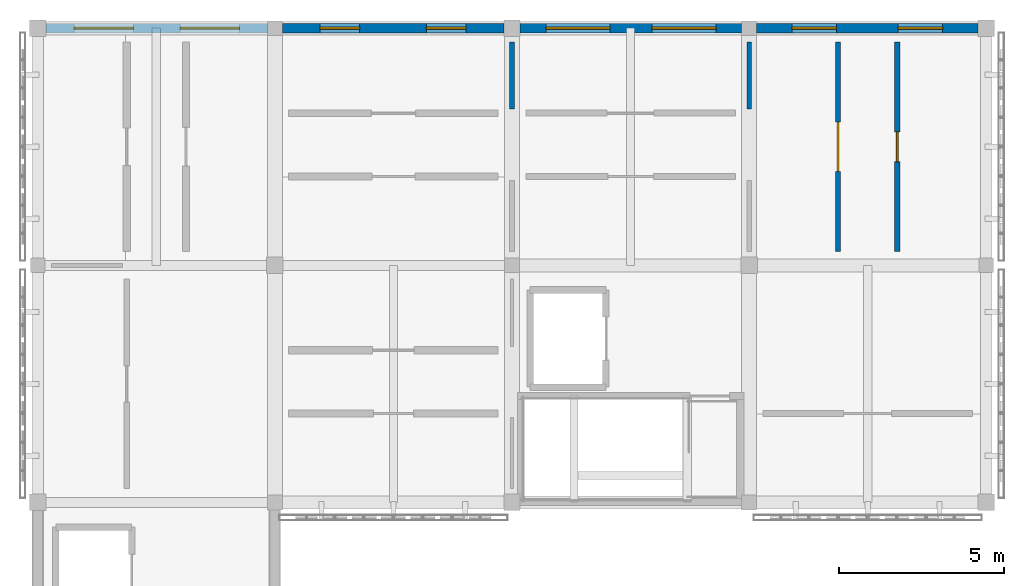
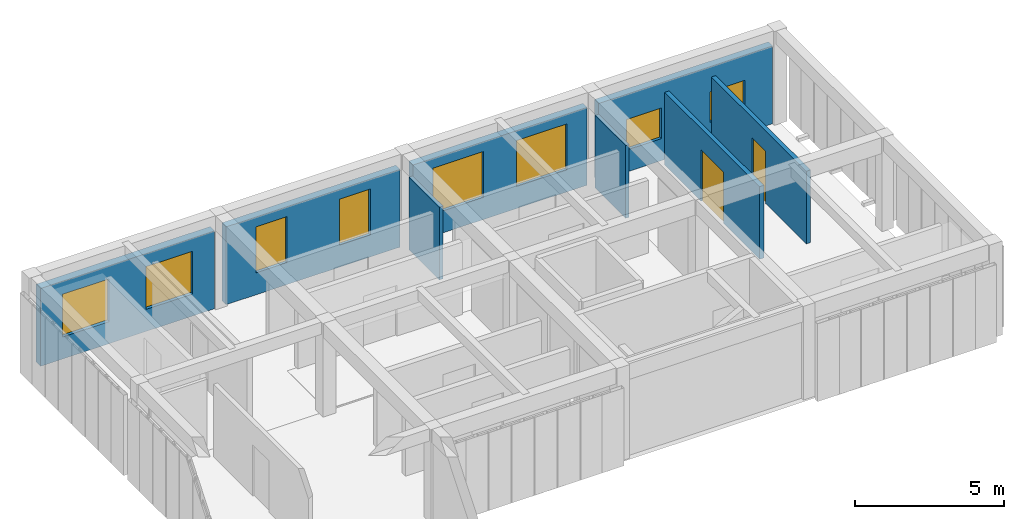
# One storey, part 12 of 14: 8 walls, 8 windows, 2 doors, 10 openings.
"""IFC4 building model written with IfcOpenShell, lengths in metres."""

from ifc_helpers import new_model, si_unit, direction, frame, frame_2d, origin, place, context, subcontext, project, spatial, rectangle, extrude, material, layer, layer_set, type_object, element, fill, save


model = new_model("IFC4")

# Units and contexts
model_context = context("Model", 3, precision=1e-05, world=origin(), true_north=direction((0.0, 1.0)))
body_context = subcontext(model_context, "Body", "Model", "MODEL_VIEW")
ifc_project = project(units=[si_unit("LENGTHUNIT", "METRE"), si_unit("AREAUNIT", "SQUARE_METRE"), si_unit("VOLUMEUNIT", "CUBIC_METRE"), si_unit("PLANEANGLEUNIT", "RADIAN"), si_unit("MASSUNIT", "GRAM", prefix="KILO")], contexts=[model_context])

# Site, building, storey
site_placement = place(None, origin())
site = spatial("IfcSite", under=ifc_project, at=site_placement, CompositionType="ELEMENT")
building_placement = place(site_placement, origin())
building = spatial("IfcBuilding", under=site, at=building_placement, Name="Aldebral Square Health Centre", CompositionType="ELEMENT")
storey_placement = place(building_placement, frame((0.0, 0.0, 21.60009765625)))
storey = spatial("IfcBuildingStorey", under=building, at=storey_placement, Name="L05", CompositionType="ELEMENT", Elevation=21.60009765625)

# Wall, openings, windows
ifc_material_1 = material(Name="Ochre mineral-rendered concrete C35/45 court wall", Category="concrete")
ifc_layer_1 = layer(ifc_material_1, 0.280029296875, Name="Ochre mineral-rendered concrete C35/45 court wall", Category="concrete")
ifc_layer_set_1 = layer_set([ifc_layer_1], Name="Ochre mineral-rendered concrete C35/45 court wall")
wall_type_1 = type_object("IfcWallType", Name="EW-OCH-280", PredefinedType="STANDARD", material=ifc_layer_set_1)
wall_1_placement = place(storey_placement, frame((14.14990234375, 115.199951171875, 0.0), z_axis=(0.0, 0.0, 1.0), x_axis=(-1.0, 0.0, 0.0)))
wall_1 = element("IfcWall", 1, at=wall_1_placement, inside=storey, type_object=wall_type_1, Name="L05 V4 exterior wall L05-V4-01-15-N", PredefinedType="STANDARD", context=body_context, shape_type="SweptSolid", body=[
    extrude(rectangle(XDim=6.724853515625, YDim=0.280029296875, at=frame_2d((3.3623046875, 0.0))), origin(), (0.0, 0.0, 1.0), 3.179931640625),
])
opening_1_placement = place(wall_1_placement, frame((1.14990234375, 0.0, 0.89990234375)))
opening_1 = element("IfcOpeningElement", 2, at=opening_1_placement, cuts=wall_1, Name="Opening W48", PredefinedType="OPENING", context=body_context, shape_type="SweptSolid", body=[
    extrude(rectangle(XDim=1.199951171875, YDim=1.8798828125, at=frame_2d((0.60009765625, 0.93994140625))), frame((0.0, 0.14990234375, 0.0), z_axis=(0.0, -1.0, 0.0), x_axis=(1.0, 0.0, 0.0)), (0.0, 0.0, 1.0), 0.300048828125),
])
opening_2_placement = place(wall_1_placement, frame((4.375, 0.0, 0.89990234375)))
opening_2 = element("IfcOpeningElement", 3, at=opening_2_placement, cuts=wall_1, Name="Opening W48", PredefinedType="OPENING", context=body_context, shape_type="SweptSolid", body=[
    extrude(rectangle(XDim=1.199951171875, YDim=1.8798828125, at=frame_2d((0.60009765625, 0.93994140625))), frame((0.0, 0.14990234375, 0.0), z_axis=(0.0, -1.0, 0.0), x_axis=(1.0, 0.0, 0.0)), (0.0, 0.0, 1.0), 0.300048828125),
])
ifc_material_2 = material(Name="Thermally broken aluminium and low-E glass", Category="aluminium")
window_type_1 = type_object("IfcWindowType", Name="WIN-W48", PartitioningType="SINGLE_PANEL", PredefinedType="WINDOW", material=ifc_material_2)
window_1_placement = place(opening_1_placement, origin())
window_1 = element("IfcWindow", 4, at=window_1_placement, inside=storey, type_object=window_type_1, Name="L05 clinical window L05-V4-01-15-N.1", OverallHeight=1.8798828125, OverallWidth=1.199951171875, PartitioningType="SINGLE_PANEL", PredefinedType="WINDOW", context=body_context, shape_type="SweptSolid", body=[
    extrude(rectangle(XDim=1.199951171875, YDim=1.8798828125, at=frame_2d((0.60009765625, 0.93994140625))), frame((0.0, 0.030029296875, 0.0), z_axis=(0.0, -1.0, 0.0), x_axis=(1.0, 0.0, 0.0)), (0.0, 0.0, 1.0), 0.06005859375),
])
fill(opening_1, window_1)
window_2_placement = place(opening_2_placement, origin())
window_2 = element("IfcWindow", 5, at=window_2_placement, inside=storey, type_object=window_type_1, Name="L05 clinical window L05-V4-01-15-N.2", OverallHeight=1.8798828125, OverallWidth=1.199951171875, PartitioningType="SINGLE_PANEL", PredefinedType="WINDOW", context=body_context, shape_type="SweptSolid", body=[
    extrude(rectangle(XDim=1.199951171875, YDim=1.8798828125, at=frame_2d((0.60009765625, 0.93994140625))), frame((0.0, 0.030029296875, 0.0), z_axis=(0.0, -1.0, 0.0), x_axis=(1.0, 0.0, 0.0)), (0.0, 0.0, 1.0), 0.06005859375),
])
fill(opening_2, window_2)

wall_2_placement = place(storey_placement, frame((21.375, 115.199951171875, 0.0), z_axis=(0.0, 0.0, 1.0), x_axis=(-1.0, 0.0, 0.0)))
wall_2 = element("IfcWall", 6, at=wall_2_placement, inside=storey, type_object=wall_type_1, Name="L05 V4 exterior wall L05-V4-02-15-N", PredefinedType="STANDARD", context=body_context, shape_type="SweptSolid", body=[
    extrude(rectangle(XDim=6.72509765625, YDim=0.280029296875, at=frame_2d((3.362548828125, 0.0))), origin(), (0.0, 0.0, 1.0), 3.179931640625),
])
opening_3_placement = place(wall_2_placement, frame((0.77490234375, 0.0, 0.89990234375)))
opening_3 = element("IfcOpeningElement", 7, at=opening_3_placement, cuts=wall_2, Name="Opening W53", PredefinedType="OPENING", context=body_context, shape_type="SweptSolid", body=[
    extrude(rectangle(XDim=1.949951171875, YDim=1.8798828125, at=frame_2d((0.97509765625, 0.93994140625))), frame((0.0, 0.14990234375, 0.0), z_axis=(0.0, -1.0, 0.0), x_axis=(1.0, 0.0, 0.0)), (0.0, 0.0, 1.0), 0.300048828125),
])
opening_4_placement = place(wall_2_placement, frame((4.0, 0.0, 0.89990234375)))
opening_4 = element("IfcOpeningElement", 8, at=opening_4_placement, cuts=wall_2, Name="Opening W53", PredefinedType="OPENING", context=body_context, shape_type="SweptSolid", body=[
    extrude(rectangle(XDim=1.949951171875, YDim=1.8798828125, at=frame_2d((0.97509765625, 0.93994140625))), frame((0.0, 0.14990234375, 0.0), z_axis=(0.0, -1.0, 0.0), x_axis=(1.0, 0.0, 0.0)), (0.0, 0.0, 1.0), 0.300048828125),
])
window_type_2 = type_object("IfcWindowType", Name="WIN-W53", PartitioningType="SINGLE_PANEL", PredefinedType="WINDOW", material=ifc_material_2)
window_3_placement = place(opening_3_placement, origin())
window_3 = element("IfcWindow", 9, at=window_3_placement, inside=storey, type_object=window_type_2, Name="L05 clinical window L05-V4-02-15-N.1", OverallHeight=1.8798828125, OverallWidth=1.949951171875, PartitioningType="SINGLE_PANEL", PredefinedType="WINDOW", context=body_context, shape_type="SweptSolid", body=[
    extrude(rectangle(XDim=1.949951171875, YDim=1.8798828125, at=frame_2d((0.97509765625, 0.93994140625))), frame((0.0, 0.030029296875, 0.0), z_axis=(0.0, -1.0, 0.0), x_axis=(1.0, 0.0, 0.0)), (0.0, 0.0, 1.0), 0.06005859375),
])
fill(opening_3, window_3)
window_4_placement = place(opening_4_placement, origin())
window_4 = element("IfcWindow", 10, at=window_4_placement, inside=storey, type_object=window_type_2, Name="L05 clinical window L05-V4-02-15-N.2", OverallHeight=1.8798828125, OverallWidth=1.949951171875, PartitioningType="SINGLE_PANEL", PredefinedType="WINDOW", context=body_context, shape_type="SweptSolid", body=[
    extrude(rectangle(XDim=1.949951171875, YDim=1.8798828125, at=frame_2d((0.97509765625, 0.93994140625))), frame((0.0, 0.030029296875, 0.0), z_axis=(0.0, -1.0, 0.0), x_axis=(1.0, 0.0, 0.0)), (0.0, 0.0, 1.0), 0.06005859375),
])
fill(opening_4, window_4)

wall_3_placement = place(storey_placement, frame((28.550048828125, 115.199951171875, 0.0), z_axis=(0.0, 0.0, 1.0), x_axis=(-1.0, 0.0, 0.0)))
wall_3 = element("IfcWall", 11, at=wall_3_placement, inside=storey, type_object=wall_type_1, Name="L05 V4 exterior wall L05-V4-03-15-N", PredefinedType="STANDARD", context=body_context, shape_type="SweptSolid", body=[
    extrude(rectangle(XDim=6.72509765625, YDim=0.280029296875, at=frame_2d((3.362548828125, 0.0))), origin(), (0.0, 0.0, 1.0), 3.179931640625),
])
opening_5_placement = place(wall_3_placement, frame((1.074951171875, 0.0, 0.89990234375)))
opening_5 = element("IfcOpeningElement", 12, at=opening_5_placement, cuts=wall_3, Name="Opening W04", PredefinedType="OPENING", context=body_context, shape_type="SweptSolid", body=[
    extrude(rectangle(XDim=1.35009765625, YDim=1.25, at=frame_2d((0.675048828125, 0.625))), frame((0.0, 0.14990234375, 0.0), z_axis=(0.0, -1.0, 0.0), x_axis=(1.0, 0.0, 0.0)), (0.0, 0.0, 1.0), 0.300048828125),
])
opening_6_placement = place(wall_3_placement, frame((4.300048828125, 0.0, 0.89990234375)))
opening_6 = element("IfcOpeningElement", 13, at=opening_6_placement, cuts=wall_3, Name="Opening W04", PredefinedType="OPENING", context=body_context, shape_type="SweptSolid", body=[
    extrude(rectangle(XDim=1.35009765625, YDim=1.25, at=frame_2d((0.675048828125, 0.625))), frame((0.0, 0.14990234375, 0.0), z_axis=(0.0, -1.0, 0.0), x_axis=(1.0, 0.0, 0.0)), (0.0, 0.0, 1.0), 0.300048828125),
])
window_type_3 = type_object("IfcWindowType", Name="WIN-W04", PartitioningType="SINGLE_PANEL", PredefinedType="WINDOW", material=ifc_material_2)
window_5_placement = place(opening_5_placement, origin())
window_5 = element("IfcWindow", 14, at=window_5_placement, inside=storey, type_object=window_type_3, Name="L05 clinical window L05-V4-03-15-N.1", OverallHeight=1.25, OverallWidth=1.35009765625, PartitioningType="SINGLE_PANEL", PredefinedType="WINDOW", context=body_context, shape_type="SweptSolid", body=[
    extrude(rectangle(XDim=1.35009765625, YDim=1.25, at=frame_2d((0.675048828125, 0.625))), frame((0.0, 0.030029296875, 0.0), z_axis=(0.0, -1.0, 0.0), x_axis=(1.0, 0.0, 0.0)), (0.0, 0.0, 1.0), 0.06005859375),
])
fill(opening_5, window_5)
window_6_placement = place(opening_6_placement, origin())
window_6 = element("IfcWindow", 15, at=window_6_placement, inside=storey, type_object=window_type_3, Name="L05 clinical window L05-V4-03-15-N.2", OverallHeight=1.25, OverallWidth=1.35009765625, PartitioningType="SINGLE_PANEL", PredefinedType="WINDOW", context=body_context, shape_type="SweptSolid", body=[
    extrude(rectangle(XDim=1.35009765625, YDim=1.25, at=frame_2d((0.675048828125, 0.625))), frame((0.0, 0.030029296875, 0.0), z_axis=(0.0, -1.0, 0.0), x_axis=(1.0, 0.0, 0.0)), (0.0, 0.0, 1.0), 0.06005859375),
])
fill(opening_6, window_6)

ifc_material_3 = material(Name="Precast concrete C40/50 insulated panel", Category="concrete")
ifc_layer_2 = layer(ifc_material_3, 0.300048828125, Name="Precast concrete C40/50 insulated panel", Category="concrete")
ifc_layer_set_2 = layer_set([ifc_layer_2], Name="Precast concrete C40/50 insulated panel")
wall_type_2 = type_object("IfcWallType", Name="EW-PRE-300", PredefinedType="STANDARD", material=ifc_layer_set_2)
wall_4_placement = place(storey_placement, frame((6.97509765625, 115.199951171875, 0.0), z_axis=(0.0, 0.0, 1.0), x_axis=(-1.0, 0.0, 0.0)))
wall_4 = element("IfcWall", 16, at=wall_4_placement, inside=storey, type_object=wall_type_2, Name="L05 V4 exterior wall L05-V4-00-15-N", PredefinedType="STANDARD", context=body_context, shape_type="SweptSolid", body=[
    extrude(rectangle(XDim=6.72509765625, YDim=0.300048828125, at=frame_2d((3.362548828125, 0.0))), origin(), (0.0, 0.0, 1.0), 3.179931640625),
])
opening_7_placement = place(wall_4_placement, frame((0.85009765625, 0.0, 0.89990234375)))
opening_7 = element("IfcOpeningElement", 17, at=opening_7_placement, cuts=wall_4, Name="Opening W43", PredefinedType="OPENING", context=body_context, shape_type="SweptSolid", body=[
    extrude(rectangle(XDim=1.800048828125, YDim=1.75, at=frame_2d((0.89990234375, 0.875))), frame((0.0, 0.16015625, 0.0), z_axis=(0.0, -1.0, 0.0), x_axis=(1.0, 0.0, 0.0)), (0.0, 0.0, 1.0), 0.320068359375),
])
opening_8_placement = place(wall_4_placement, frame((4.074951171875, 0.0, 0.89990234375)))
opening_8 = element("IfcOpeningElement", 18, at=opening_8_placement, cuts=wall_4, Name="Opening W43", PredefinedType="OPENING", context=body_context, shape_type="SweptSolid", body=[
    extrude(rectangle(XDim=1.800048828125, YDim=1.75, at=frame_2d((0.89990234375, 0.875))), frame((0.0, 0.16015625, 0.0), z_axis=(0.0, -1.0, 0.0), x_axis=(1.0, 0.0, 0.0)), (0.0, 0.0, 1.0), 0.320068359375),
])
window_type_4 = type_object("IfcWindowType", Name="WIN-W43", PartitioningType="SINGLE_PANEL", PredefinedType="WINDOW", material=ifc_material_2)
window_7_placement = place(opening_7_placement, origin())
window_7 = element("IfcWindow", 19, at=window_7_placement, inside=storey, type_object=window_type_4, Name="L05 clinical window L05-V4-00-15-N.1", OverallHeight=1.75, OverallWidth=1.800048828125, PartitioningType="SINGLE_PANEL", PredefinedType="WINDOW", context=body_context, shape_type="SweptSolid", body=[
    extrude(rectangle(XDim=1.800048828125, YDim=1.75, at=frame_2d((0.89990234375, 0.875))), frame((0.0, 0.030029296875, 0.0), z_axis=(0.0, -1.0, 0.0), x_axis=(1.0, 0.0, 0.0)), (0.0, 0.0, 1.0), 0.06005859375),
])
fill(opening_7, window_7)
window_8_placement = place(opening_8_placement, origin())
window_8 = element("IfcWindow", 20, at=window_8_placement, inside=storey, type_object=window_type_4, Name="L05 clinical window L05-V4-00-15-N.2", OverallHeight=1.75, OverallWidth=1.800048828125, PartitioningType="SINGLE_PANEL", PredefinedType="WINDOW", context=body_context, shape_type="SweptSolid", body=[
    extrude(rectangle(XDim=1.800048828125, YDim=1.75, at=frame_2d((0.89990234375, 0.875))), frame((0.0, 0.030029296875, 0.0), z_axis=(0.0, -1.0, 0.0), x_axis=(1.0, 0.0, 0.0)), (0.0, 0.0, 1.0), 0.06005859375),
])
fill(opening_8, window_8)

# Wall, opening, door
ifc_material_4 = material(Name="Fire-rated acoustic gypsum partition")
ifc_layer_3 = layer(ifc_material_4, 0.1650390625, Name="Fire-rated acoustic gypsum partition")
ifc_layer_set_3 = layer_set([ifc_layer_3], Name="Fire-rated acoustic gypsum partition")
wall_type_3 = type_object("IfcWallType", Name="IW-COR-165", PredefinedType="PARTITIONING", material=ifc_layer_set_3)
wall_5_placement = place(storey_placement, frame((24.300048828125, 108.419921875, 0.0), z_axis=(0.0, 0.0, 1.0), x_axis=(0.0, 1.0, 0.0)))
wall_5 = element("IfcWall", 21, at=wall_5_placement, inside=storey, type_object=wall_type_3, Name="L05 Staff Continuing Education Room 4.16W corridor wall", PredefinedType="PARTITIONING", context=body_context, shape_type="SweptSolid", body=[
    extrude(rectangle(XDim=6.360107421875, YDim=0.1650390625, at=frame_2d((3.18017578125, 0.0))), origin(), (0.0, 0.0, 1.0), 2.969970703125),
])
opening_9_placement = place(wall_5_placement, frame((2.429931640625, 0.0, 0.0)))
opening_9 = element("IfcOpeningElement", 22, at=opening_9_placement, cuts=wall_5, Name="Opening D-0667", PredefinedType="OPENING", context=body_context, shape_type="SweptSolid", body=[
    extrude(rectangle(XDim=1.5, YDim=2.090087890625, at=frame_2d((0.75, 1.044921875))), frame((0.0, 0.092529296875, 0.0), z_axis=(0.0, -1.0, 0.0), x_axis=(1.0, 0.0, 0.0)), (0.0, 0.0, 1.0), 0.18505859375),
])
ifc_material_5 = material(Name="Clinical suite fire door")
door_type_1 = type_object("IfcDoorType", Name="ID-EXD-31", OperationType="NOTDEFINED", PredefinedType="DOOR", material=ifc_material_5)
door_1_placement = place(opening_9_placement, origin())
door_1 = element("IfcDoor", 23, at=door_1_placement, inside=storey, type_object=door_type_1, Name="L05 Staff Continuing Education Room 4.16W door", OperationType="SINGLE_SWING_RIGHT", OverallHeight=2.090087890625, OverallWidth=1.5, PredefinedType="DOOR", context=body_context, shape_type="SweptSolid", body=[
    extrude(rectangle(XDim=1.5, YDim=2.090087890625, at=frame_2d((0.75, 1.044921875))), frame((0.0, 0.02490234375, 0.0), z_axis=(0.0, -1.0, 0.0), x_axis=(1.0, 0.0, 0.0)), (0.0, 0.0, 1.0), 0.050048828125),
])
fill(opening_9, door_1)

wall_6_placement = place(storey_placement, frame((26.10009765625, 108.419921875, 0.0), z_axis=(0.0, 0.0, 1.0), x_axis=(0.0, 1.0, 0.0)))
wall_6 = element("IfcWall", 24, at=wall_6_placement, inside=storey, type_object=wall_type_3, Name="L05 Rooftop AHU Plant Room 4.16E corridor wall", PredefinedType="PARTITIONING", context=body_context, shape_type="SweptSolid", body=[
    extrude(rectangle(XDim=6.360107421875, YDim=0.1650390625, at=frame_2d((3.18017578125, 0.0))), origin(), (0.0, 0.0, 1.0), 2.969970703125),
])
opening_10_placement = place(wall_6_placement, frame((2.72998046875, 0.0, 0.0)))
opening_10 = element("IfcOpeningElement", 25, at=opening_10_placement, cuts=wall_6, Name="Opening D-0668", PredefinedType="OPENING", context=body_context, shape_type="SweptSolid", body=[
    extrude(rectangle(XDim=0.89990234375, YDim=2.139892578125, at=frame_2d((0.449951171875, 1.06982421875))), frame((0.0, 0.092529296875, 0.0), z_axis=(0.0, -1.0, 0.0), x_axis=(1.0, 0.0, 0.0)), (0.0, 0.0, 1.0), 0.18505859375),
])
door_type_2 = type_object("IfcDoorType", Name="ID-EXD-32", OperationType="NOTDEFINED", PredefinedType="DOOR", material=ifc_material_5)
door_2_placement = place(opening_10_placement, origin())
door_2 = element("IfcDoor", 26, at=door_2_placement, inside=storey, type_object=door_type_2, Name="L05 Rooftop AHU Plant Room 4.16E door", OperationType="SINGLE_SWING_LEFT", OverallHeight=2.139892578125, OverallWidth=0.89990234375, PredefinedType="DOOR", context=body_context, shape_type="SweptSolid", body=[
    extrude(rectangle(XDim=0.89990234375, YDim=2.139892578125, at=frame_2d((0.449951171875, 1.06982421875))), frame((0.0, 0.02490234375, 0.0), z_axis=(0.0, -1.0, 0.0), x_axis=(1.0, 0.0, 0.0)), (0.0, 0.0, 1.0), 0.050048828125),
])
fill(opening_10, door_2)

# Walls
ifc_material_6 = material(Name="Acoustic clinical gypsum partition")
ifc_layer_4 = layer(ifc_material_6, 0.135009765625, Name="Acoustic clinical gypsum partition")
ifc_layer_set_4 = layer_set([ifc_layer_4], Name="Acoustic clinical gypsum partition")
wall_type_4 = type_object("IfcWallType", Name="IW-PRT-135", PredefinedType="PARTITIONING", material=ifc_layer_set_4)
wall_7_placement = place(storey_placement, frame((21.60009765625, 112.739990234375, 0.0), z_axis=(0.0, 0.0, 1.0), x_axis=(0.0, 1.0, 0.0)))
element("IfcWall", 27, at=wall_7_placement, inside=storey, type_object=wall_type_4, Name="L05 Clinical Governance Suite 3.16N demising partition", PredefinedType="PARTITIONING", context=body_context, shape_type="SweptSolid", body=[
    extrude(rectangle(XDim=2.0400390625, YDim=0.135009765625, at=frame_2d((1.02001953125, 0.0))), origin(), (0.0, 0.0, 1.0), 2.969970703125),
])
ifc_layer_5 = layer(ifc_material_6, 0.14990234375, Name="Acoustic clinical gypsum partition")
ifc_layer_set_5 = layer_set([ifc_layer_5], Name="Acoustic clinical gypsum partition")
wall_type_5 = type_object("IfcWallType", Name="IW-PRT-150", PredefinedType="PARTITIONING", material=ifc_layer_set_5)
wall_8_placement = place(storey_placement, frame((14.39990234375, 112.739990234375, 0.0), z_axis=(0.0, 0.0, 1.0), x_axis=(0.0, 1.0, 0.0)))
element("IfcWall", 28, at=wall_8_placement, inside=storey, type_object=wall_type_5, Name="L05 Preventive Screening Room 2.16N demising partition", PredefinedType="PARTITIONING", context=body_context, shape_type="SweptSolid", body=[
    extrude(rectangle(XDim=2.0400390625, YDim=0.14990234375, at=frame_2d((1.02001953125, 0.0))), origin(), (0.0, 0.0, 1.0), 2.969970703125),
])

save(model, "model.ifc")
